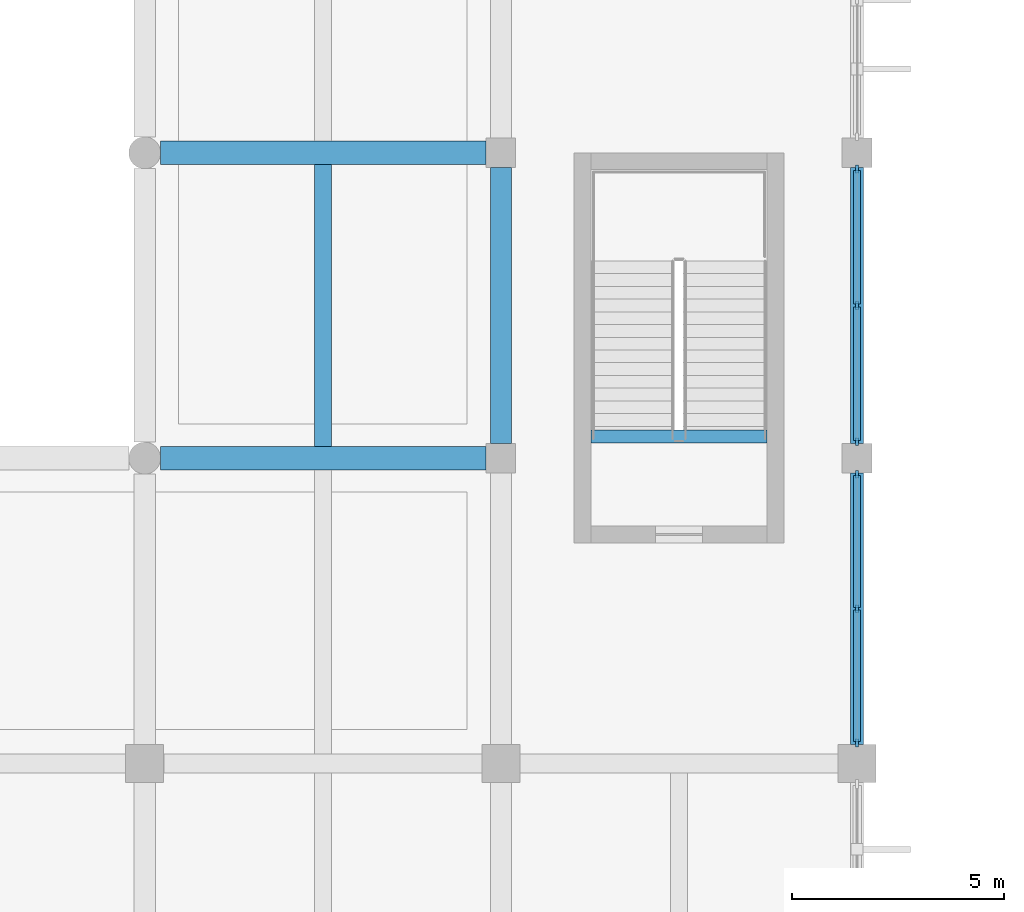
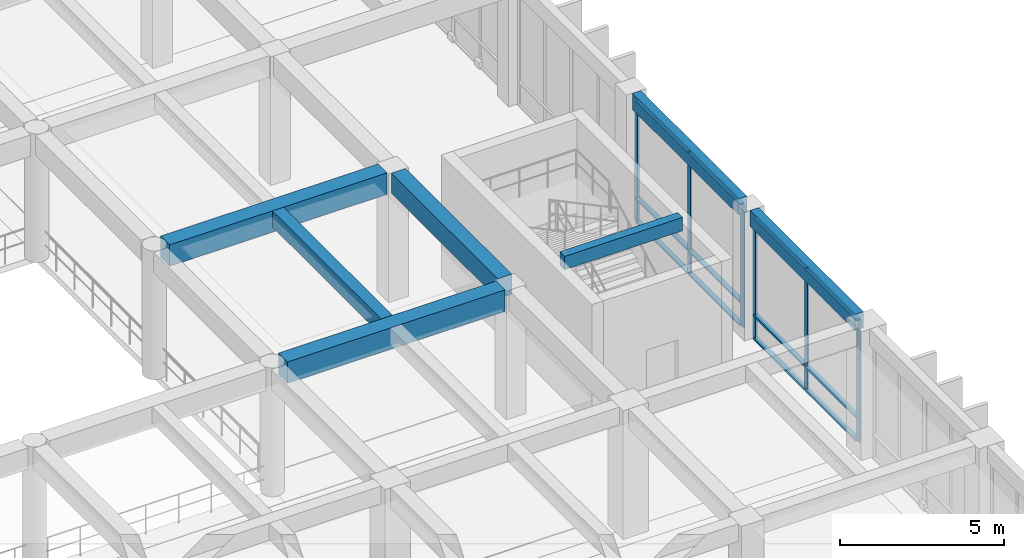
# One storey, part 17 of 51: 18 members, 7 beams, 2 elements without a shape of their own.
"""IFC4 building model written with IfcOpenShell, lengths in metres."""

from ifc_helpers import new_model, si_unit, direction, frame, origin, origin_2d, place, context, subcontext, project, spatial, rectangle, extrude, material, material_profile, profile_set, type_object, element, aggregate, save


model = new_model("IFC4")

# Units and contexts
model_context = context("Model", 3, precision=1e-05, world=origin(), true_north=direction((0.0, 1.0)))
body_context = subcontext(model_context, "Body", "Model", "MODEL_VIEW")
ifc_project = project(units=[si_unit("LENGTHUNIT", "METRE"), si_unit("AREAUNIT", "SQUARE_METRE"), si_unit("VOLUMEUNIT", "CUBIC_METRE"), si_unit("PLANEANGLEUNIT", "RADIAN"), si_unit("MASSUNIT", "GRAM", prefix="KILO")], contexts=[model_context])

# Site, building, storey
site_placement = place(None, origin())
site = spatial("IfcSite", under=ifc_project, at=site_placement, CompositionType="ELEMENT")
building_placement = place(site_placement, origin())
building = spatial("IfcBuilding", under=site, at=building_placement, Name="Kenerak Square Central Library", CompositionType="ELEMENT")
storey_placement = place(building_placement, frame((0.0, 0.0, 9.60009765625)))
storey = spatial("IfcBuildingStorey", under=building, at=storey_placement, Name="L02", CompositionType="ELEMENT", Elevation=9.60009765625)

# Beams
ifc_material_1 = material(Name="Concrete C40/50", Category="concrete")
ifc_material_profile_1 = material_profile(ifc_material_1, rectangle(XDim=0.300048828125, YDim=0.60009765625, at=origin_2d()), Name="RC 300x600")
ifc_profile_set_1 = profile_set([ifc_material_profile_1], Name="Concrete C40/50")
beam_type_1 = type_object("IfcBeamType", Name="Courtyard Spandrel Beam SP-02 RC 300x600 C40/50", PredefinedType="SPANDREL", material=ifc_profile_set_1)
beam_1_placement = place(storey_placement, frame((117.199951171875, 53.25, 4.5), z_axis=(0.0, 1.0, 0.0), x_axis=(-1.0, 0.0, 0.0)))
element("IfcBeam", 1, at=beam_1_placement, inside=storey, type_object=beam_type_1, Name="Beam SP-02 L02 1348", PredefinedType="SPANDREL", context=body_context, shape_type="SweptSolid", body=[
    extrude(rectangle(XDim=0.300048828125, YDim=0.60009765625, at=origin_2d()), origin(), (0.0, 0.0, 1.0), 6.39990234375),
])
beam_2_placement = place(storey_placement, frame((117.199951171875, 60.35009765625, 4.5), z_axis=(0.0, 1.0, 0.0), x_axis=(-1.0, 0.0, 0.0)))
element("IfcBeam", 2, at=beam_2_placement, inside=storey, type_object=beam_type_1, Name="Beam SP-02 L02 1349", PredefinedType="SPANDREL", context=body_context, shape_type="SweptSolid", body=[
    extrude(rectangle(XDim=0.300048828125, YDim=0.60009765625, at=origin_2d()), origin(), (0.0, 0.0, 1.0), 6.5),
])

# Curtain wall, members
ifc_material_2 = material(Name="Anodised aluminium and solar-control low-E glazing", Category="aluminium")
curtain_wall_type_1 = type_object("IfcCurtainWallType", Name="Curtain Wall CW-V4-65x45 6500x4550", PredefinedType="USERDEFINED", material=ifc_material_2)
curtain_wall_1_placement = place(storey_placement, origin())
curtain_wall_1 = element("IfcCurtainWall", 3, at=curtain_wall_1_placement, inside=storey, type_object=curtain_wall_type_1, Name="Curtain Wall CW-V4-65x45 L02 0085", ObjectType="CURTAIN WALL", PredefinedType="USERDEFINED")
ifc_material_3 = material(Name="Anodised aluminium 6063-T6", Category="aluminium")
ifc_material_profile_2 = material_profile(ifc_material_3, rectangle(XDim=0.06494140625, YDim=0.179931640625, at=origin_2d()), Name="AL MULLION 65x180")
ifc_profile_set_2 = profile_set([ifc_material_profile_2], Name="Anodised aluminium 6063-T6")
member_type_1 = type_object("IfcMemberType", Name="Curtain Mullion CM-01 65x180", PredefinedType="MULLION", material=ifc_profile_set_2)
member_1_placement = place(storey_placement, frame((117.199951171875, 66.8173828125, 0.0), z_axis=(0.0, 0.0, 1.0), x_axis=(1.0, 0.0, 0.0)))
member_1 = element("IfcMember", 4, at=member_1_placement, type_object=member_type_1, Name="CW-V4-65x45 Mullion 1", PredefinedType="MULLION", context=body_context, shape_type="SweptSolid", body=[
    extrude(rectangle(XDim=0.06494140625, YDim=0.179931640625, at=origin_2d()), origin(), (0.0, 0.0, 1.0), 4.5498046875),
])
member_2_placement = place(storey_placement, frame((117.199951171875, 63.60009765625, 0.0), z_axis=(0.0, 0.0, 1.0), x_axis=(1.0, 0.0, 0.0)))
member_2 = element("IfcMember", 5, at=member_2_placement, type_object=member_type_1, Name="CW-V4-65x45 Mullion 2", PredefinedType="MULLION", context=body_context, shape_type="SweptSolid", body=[
    extrude(rectangle(XDim=0.06494140625, YDim=0.179931640625, at=origin_2d()), origin(), (0.0, 0.0, 1.0), 4.5498046875),
])
member_3_placement = place(storey_placement, frame((117.199951171875, 60.382568359375, 0.0), z_axis=(0.0, 0.0, 1.0), x_axis=(1.0, 0.0, 0.0)))
member_3 = element("IfcMember", 6, at=member_3_placement, type_object=member_type_1, Name="CW-V4-65x45 Mullion 3", PredefinedType="MULLION", context=body_context, shape_type="SweptSolid", body=[
    extrude(rectangle(XDim=0.06494140625, YDim=0.179931640625, at=origin_2d()), origin(), (0.0, 0.0, 1.0), 4.5498046875),
])

curtain_wall_type_2 = type_object("IfcCurtainWallType", Name="Curtain Wall CW-V4-64x45 6400x4550", PredefinedType="USERDEFINED", material=ifc_material_2)
curtain_wall_2_placement = place(storey_placement, origin())
curtain_wall_2 = element("IfcCurtainWall", 7, at=curtain_wall_2_placement, inside=storey, type_object=curtain_wall_type_2, Name="Curtain Wall CW-V4-64x45 L02 0086", ObjectType="CURTAIN WALL", PredefinedType="USERDEFINED")
member_4_placement = place(storey_placement, frame((117.199951171875, 59.617431640625, 0.0), z_axis=(0.0, 0.0, 1.0), x_axis=(1.0, 0.0, 0.0)))
member_4 = element("IfcMember", 8, at=member_4_placement, type_object=member_type_1, Name="CW-V4-64x45 Mullion 1", PredefinedType="MULLION", context=body_context, shape_type="SweptSolid", body=[
    extrude(rectangle(XDim=0.06494140625, YDim=0.179931640625, at=origin_2d()), origin(), (0.0, 0.0, 1.0), 4.5498046875),
])
member_5_placement = place(storey_placement, frame((117.199951171875, 56.449951171875, 0.0), z_axis=(0.0, 0.0, 1.0), x_axis=(1.0, 0.0, 0.0)))
member_5 = element("IfcMember", 9, at=member_5_placement, type_object=member_type_1, Name="CW-V4-64x45 Mullion 2", PredefinedType="MULLION", context=body_context, shape_type="SweptSolid", body=[
    extrude(rectangle(XDim=0.06494140625, YDim=0.179931640625, at=origin_2d()), origin(), (0.0, 0.0, 1.0), 4.5498046875),
])
member_6_placement = place(storey_placement, frame((117.199951171875, 53.282470703125, 0.0), z_axis=(0.0, 0.0, 1.0), x_axis=(1.0, 0.0, 0.0)))
member_6 = element("IfcMember", 10, at=member_6_placement, type_object=member_type_1, Name="CW-V4-64x45 Mullion 3", PredefinedType="MULLION", context=body_context, shape_type="SweptSolid", body=[
    extrude(rectangle(XDim=0.06494140625, YDim=0.179931640625, at=origin_2d()), origin(), (0.0, 0.0, 1.0), 4.5498046875),
])

# Member
ifc_material_profile_3 = material_profile(ifc_material_3, rectangle(XDim=0.159912109375, YDim=0.06494140625, at=origin_2d()), Name="AL TRANSOM 160x65")
ifc_profile_set_3 = profile_set([ifc_material_profile_3], Name="Anodised aluminium 6063-T6")
member_type_2 = type_object("IfcMemberType", Name="Curtain Transom CT-11 160x65", PredefinedType="USERDEFINED", material=ifc_profile_set_3)
member_7_placement = place(storey_placement, frame((117.199951171875, 66.784912109375, 0.032470703125), z_axis=(0.0, -1.0, 0.0), x_axis=(1.0, 0.0, 0.0)))
member_7 = element("IfcMember", 11, at=member_7_placement, type_object=member_type_2, Name="CW-V4-65x45 Transom 1.1", ObjectType="TRANSOM", PredefinedType="USERDEFINED", context=body_context, shape_type="SweptSolid", body=[
    extrude(rectangle(XDim=0.159912109375, YDim=0.06494140625, at=origin_2d()), origin(), (0.0, 0.0, 1.0), 3.15234375),
])

member_8_placement = place(storey_placement, frame((117.199951171875, 66.784912109375, 0.89990234375), z_axis=(0.0, -1.0, 0.0), x_axis=(1.0, 0.0, 0.0)))
member_8 = element("IfcMember", 12, at=member_8_placement, type_object=member_type_2, Name="CW-V4-65x45 Transom 1.2", ObjectType="TRANSOM", PredefinedType="USERDEFINED", context=body_context, shape_type="SweptSolid", body=[
    extrude(rectangle(XDim=0.159912109375, YDim=0.06494140625, at=origin_2d()), origin(), (0.0, 0.0, 1.0), 3.15234375),
])

member_9_placement = place(storey_placement, frame((117.199951171875, 66.784912109375, 4.517333984375), z_axis=(0.0, -1.0, 0.0), x_axis=(1.0, 0.0, 0.0)))
member_9 = element("IfcMember", 13, at=member_9_placement, type_object=member_type_2, Name="CW-V4-65x45 Transom 1.3", ObjectType="TRANSOM", PredefinedType="USERDEFINED", context=body_context, shape_type="SweptSolid", body=[
    extrude(rectangle(XDim=0.159912109375, YDim=0.06494140625, at=origin_2d()), origin(), (0.0, 0.0, 1.0), 3.15234375),
])

member_10_placement = place(storey_placement, frame((117.199951171875, 63.5673828125, 0.032470703125), z_axis=(0.0, -1.0, 0.0), x_axis=(1.0, 0.0, 0.0)))
member_10 = element("IfcMember", 14, at=member_10_placement, type_object=member_type_2, Name="CW-V4-65x45 Transom 2.1", ObjectType="TRANSOM", PredefinedType="USERDEFINED", context=body_context, shape_type="SweptSolid", body=[
    extrude(rectangle(XDim=0.159912109375, YDim=0.06494140625, at=origin_2d()), origin(), (0.0, 0.0, 1.0), 3.15234375),
])

member_11_placement = place(storey_placement, frame((117.199951171875, 63.5673828125, 0.89990234375), z_axis=(0.0, -1.0, 0.0), x_axis=(1.0, 0.0, 0.0)))
member_11 = element("IfcMember", 15, at=member_11_placement, type_object=member_type_2, Name="CW-V4-65x45 Transom 2.2", ObjectType="TRANSOM", PredefinedType="USERDEFINED", context=body_context, shape_type="SweptSolid", body=[
    extrude(rectangle(XDim=0.159912109375, YDim=0.06494140625, at=origin_2d()), origin(), (0.0, 0.0, 1.0), 3.15234375),
])

member_12_placement = place(storey_placement, frame((117.199951171875, 63.5673828125, 4.517333984375), z_axis=(0.0, -1.0, 0.0), x_axis=(1.0, 0.0, 0.0)))
member_12 = element("IfcMember", 16, at=member_12_placement, type_object=member_type_2, Name="CW-V4-65x45 Transom 2.3", ObjectType="TRANSOM", PredefinedType="USERDEFINED", context=body_context, shape_type="SweptSolid", body=[
    extrude(rectangle(XDim=0.159912109375, YDim=0.06494140625, at=origin_2d()), origin(), (0.0, 0.0, 1.0), 3.15234375),
])

aggregate(curtain_wall_1, [member_1, member_2, member_3, member_7, member_8, member_9, member_10, member_11, member_12])

member_13_placement = place(storey_placement, frame((117.199951171875, 59.5849609375, 0.032470703125), z_axis=(0.0, -1.0, 0.0), x_axis=(1.0, 0.0, 0.0)))
member_13 = element("IfcMember", 17, at=member_13_placement, type_object=member_type_2, Name="CW-V4-64x45 Transom 1.1", ObjectType="TRANSOM", PredefinedType="USERDEFINED", context=body_context, shape_type="SweptSolid", body=[
    extrude(rectangle(XDim=0.159912109375, YDim=0.06494140625, at=origin_2d()), origin(), (0.0, 0.0, 1.0), 3.1025390625),
])

member_14_placement = place(storey_placement, frame((117.199951171875, 59.5849609375, 0.89990234375), z_axis=(0.0, -1.0, 0.0), x_axis=(1.0, 0.0, 0.0)))
member_14 = element("IfcMember", 18, at=member_14_placement, type_object=member_type_2, Name="CW-V4-64x45 Transom 1.2", ObjectType="TRANSOM", PredefinedType="USERDEFINED", context=body_context, shape_type="SweptSolid", body=[
    extrude(rectangle(XDim=0.159912109375, YDim=0.06494140625, at=origin_2d()), origin(), (0.0, 0.0, 1.0), 3.1025390625),
])

member_15_placement = place(storey_placement, frame((117.199951171875, 59.5849609375, 4.517333984375), z_axis=(0.0, -1.0, 0.0), x_axis=(1.0, 0.0, 0.0)))
member_15 = element("IfcMember", 19, at=member_15_placement, type_object=member_type_2, Name="CW-V4-64x45 Transom 1.3", ObjectType="TRANSOM", PredefinedType="USERDEFINED", context=body_context, shape_type="SweptSolid", body=[
    extrude(rectangle(XDim=0.159912109375, YDim=0.06494140625, at=origin_2d()), origin(), (0.0, 0.0, 1.0), 3.1025390625),
])

member_16_placement = place(storey_placement, frame((117.199951171875, 56.41748046875, 0.032470703125), z_axis=(0.0, -1.0, 0.0), x_axis=(1.0, 0.0, 0.0)))
member_16 = element("IfcMember", 20, at=member_16_placement, type_object=member_type_2, Name="CW-V4-64x45 Transom 2.1", ObjectType="TRANSOM", PredefinedType="USERDEFINED", context=body_context, shape_type="SweptSolid", body=[
    extrude(rectangle(XDim=0.159912109375, YDim=0.06494140625, at=origin_2d()), origin(), (0.0, 0.0, 1.0), 3.1025390625),
])

member_17_placement = place(storey_placement, frame((117.199951171875, 56.41748046875, 0.89990234375), z_axis=(0.0, -1.0, 0.0), x_axis=(1.0, 0.0, 0.0)))
member_17 = element("IfcMember", 21, at=member_17_placement, type_object=member_type_2, Name="CW-V4-64x45 Transom 2.2", ObjectType="TRANSOM", PredefinedType="USERDEFINED", context=body_context, shape_type="SweptSolid", body=[
    extrude(rectangle(XDim=0.159912109375, YDim=0.06494140625, at=origin_2d()), origin(), (0.0, 0.0, 1.0), 3.1025390625),
])

member_18_placement = place(storey_placement, frame((117.199951171875, 56.41748046875, 4.517333984375), z_axis=(0.0, -1.0, 0.0), x_axis=(1.0, 0.0, 0.0)))
member_18 = element("IfcMember", 22, at=member_18_placement, type_object=member_type_2, Name="CW-V4-64x45 Transom 2.3", ObjectType="TRANSOM", PredefinedType="USERDEFINED", context=body_context, shape_type="SweptSolid", body=[
    extrude(rectangle(XDim=0.159912109375, YDim=0.06494140625, at=origin_2d()), origin(), (0.0, 0.0, 1.0), 3.1025390625),
])

aggregate(curtain_wall_2, [member_4, member_5, member_6, member_13, member_14, member_15, member_16, member_17, member_18])

# Beams
ifc_material_profile_4 = material_profile(ifc_material_1, rectangle(XDim=0.300048828125, YDim=0.5, at=origin_2d()), Name="RC 300x500")
ifc_profile_set_4 = profile_set([ifc_material_profile_4], Name="Concrete C40/50")
beam_type_2 = type_object("IfcBeamType", Name="Landing Support Beam B-08 RC 300x500 C40/50", PredefinedType="BEAM", material=ifc_profile_set_4)
beam_3_placement = place(storey_placement, frame((110.919921875, 60.510009765625, 4.5498046875), z_axis=(1.0, 0.0, 0.0), x_axis=(0.0, 1.0, 0.0)))
element("IfcBeam", 23, at=beam_3_placement, inside=storey, type_object=beam_type_2, Name="Stair Threshold Beam B-08 ST-09 L03", PredefinedType="BEAM", context=body_context, shape_type="SweptSolid", body=[
    extrude(rectangle(XDim=0.300048828125, YDim=0.5, at=origin_2d()), origin(), (0.0, 0.0, 1.0), 4.16015625),
])
ifc_material_profile_5 = material_profile(ifc_material_1, rectangle(XDim=0.550048828125, YDim=0.800048828125, at=origin_2d()), Name="RC 550x800")
ifc_profile_set_5 = profile_set([ifc_material_profile_5], Name="Concrete C40/50")
beam_type_3 = type_object("IfcBeamType", Name="Primary Reading Beam B-04 RC 550x800 C40/50", PredefinedType="BEAM", material=ifc_profile_set_5)
for number, where, z_axis, x_axis, name in (
    (24, (100.77490234375, 60.0, 4.39990234375), (1.0, 0.0, 0.0), (0.0, 1.0, 0.0), "Beam B-04 L02 1228"),
    (25, (100.77490234375, 67.199951171875, 4.39990234375), (1.0, 0.0, 0.0), (0.0, 1.0, 0.0), "Beam B-04 L02 1229"),
):
    element("IfcBeam", number, at=place(storey_placement, frame(where, z_axis=z_axis, x_axis=x_axis)), inside=storey, type_object=beam_type_3, Name=name, PredefinedType="BEAM", context=body_context, shape_type="SweptSolid", body=[
        extrude(rectangle(XDim=0.550048828125, YDim=0.800048828125, at=origin_2d()), origin(), (0.0, 0.0, 1.0), 7.675048828125),
    ])
ifc_material_profile_6 = material_profile(ifc_material_1, rectangle(XDim=0.39990234375, YDim=0.60009765625, at=origin_2d()), Name="RC 400x600")
ifc_profile_set_6 = profile_set([ifc_material_profile_6], Name="Concrete C40/50")
beam_type_4 = type_object("IfcBeamType", Name="Secondary Floor Joist J-01 RC 400x600 C40/50", PredefinedType="JOIST", material=ifc_profile_set_6)
beam_4_placement = place(storey_placement, frame((104.60009765625, 60.27490234375, 4.5), z_axis=(0.0, 1.0, 0.0), x_axis=(-1.0, 0.0, 0.0)))
element("IfcBeam", 26, at=beam_4_placement, inside=storey, type_object=beam_type_4, Name="Joist J-01 L02 1401", PredefinedType="JOIST", context=body_context, shape_type="SweptSolid", body=[
    extrude(rectangle(XDim=0.39990234375, YDim=0.60009765625, at=origin_2d()), origin(), (0.0, 0.0, 1.0), 6.650146484375),
])
ifc_material_profile_7 = material_profile(ifc_material_1, rectangle(XDim=0.5, YDim=0.75, at=origin_2d()), Name="RC 500x750")
ifc_profile_set_7 = profile_set([ifc_material_profile_7], Name="Concrete C40/50")
beam_type_5 = type_object("IfcBeamType", Name="Transverse Frame Beam B-05 RC 500x750 C40/50", PredefinedType="BEAM", material=ifc_profile_set_7)
beam_5_placement = place(storey_placement, frame((108.800048828125, 60.35009765625, 4.4248046875), z_axis=(0.0, 1.0, 0.0), x_axis=(-1.0, 0.0, 0.0)))
element("IfcBeam", 27, at=beam_5_placement, inside=storey, type_object=beam_type_5, Name="Beam B-05 L02 1335", PredefinedType="BEAM", context=body_context, shape_type="SweptSolid", body=[
    extrude(rectangle(XDim=0.5, YDim=0.75, at=origin_2d()), origin(), (0.0, 0.0, 1.0), 6.5),
])

save(model, "model.ifc")
